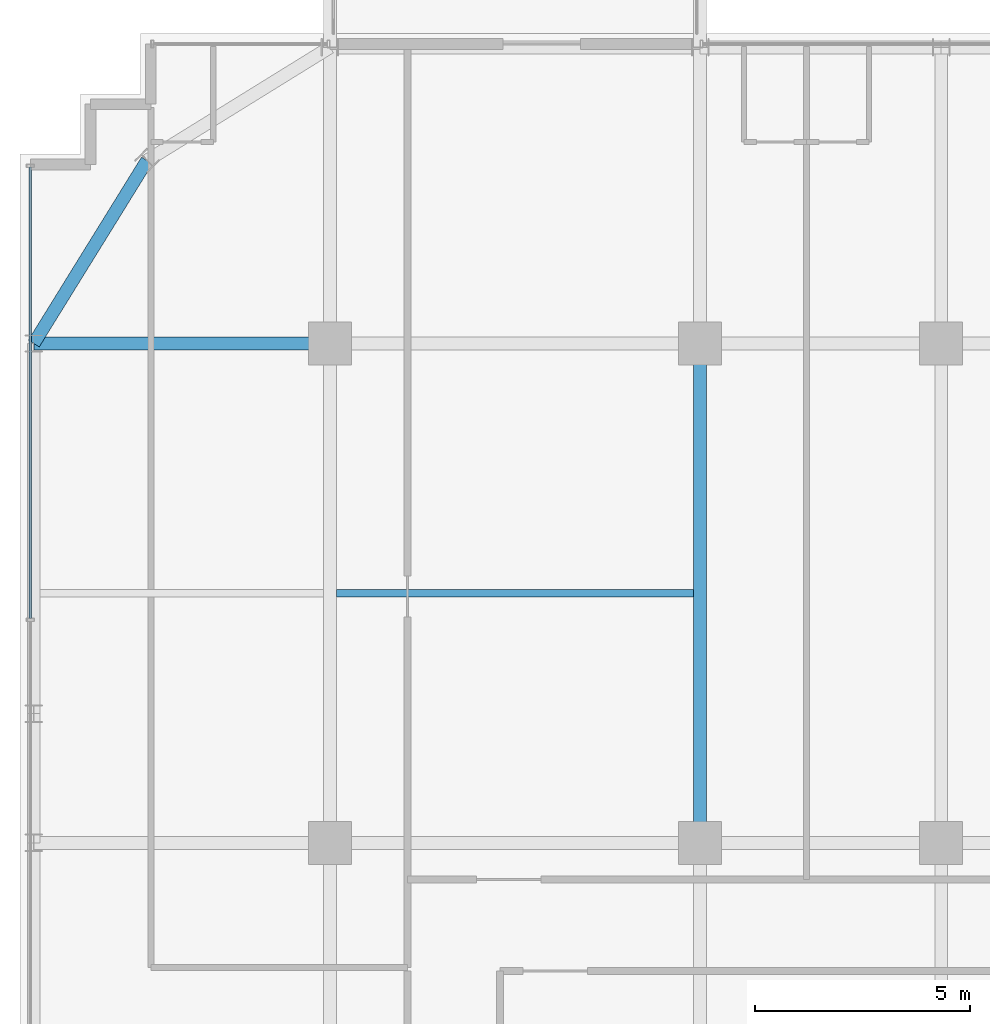
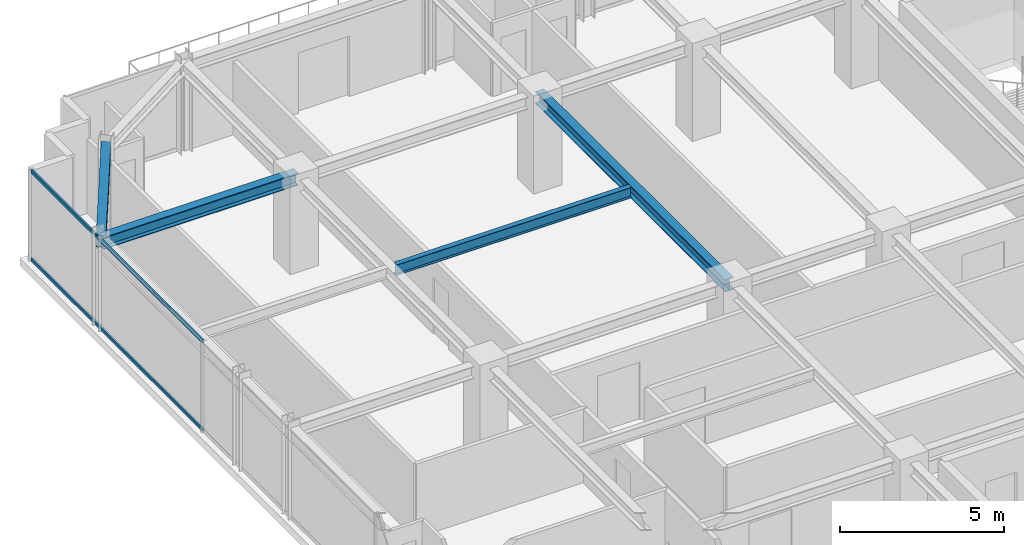
# One storey, part 19 of 36: 4 beams, 2 members, 1 element without a shape of its own.
"""IFC4 building model written with IfcOpenShell, lengths in metres."""

from ifc_helpers import new_model, si_unit, direction, frame, origin, origin_2d, place, context, subcontext, project, spatial, hollow_rectangle, i_section, extrude, source, transform, mapped, material, material_profile, profile_set, type_object, element, aggregate, save


model = new_model("IFC4")

# Units and contexts
model_context = context("Model", 3, precision=1e-05, world=origin(), true_north=direction((0.0, 1.0)))
body_context = subcontext(model_context, "Body", "Model", "MODEL_VIEW")
ifc_project = project(units=[si_unit("LENGTHUNIT", "METRE"), si_unit("AREAUNIT", "SQUARE_METRE"), si_unit("VOLUMEUNIT", "CUBIC_METRE"), si_unit("PLANEANGLEUNIT", "RADIAN"), si_unit("MASSUNIT", "GRAM", prefix="KILO")], contexts=[model_context])

# Site, building, storey
site_placement = place(None, origin())
site = spatial("IfcSite", under=ifc_project, at=site_placement, CompositionType="ELEMENT")
building_placement = place(site_placement, origin())
building = spatial("IfcBuilding", under=site, at=building_placement, Name="Nahalor Promenade Grand Hotel", CompositionType="ELEMENT")
storey_placement = place(building_placement, frame((0.0, 0.0, 234.5)))
storey = spatial("IfcBuildingStorey", under=building, at=storey_placement, Name="L60", CompositionType="ELEMENT", Elevation=234.5)

# Beams
ifc_material_1 = material(Name="Steel S355JR", Category="steel")
ifc_material_profile_1 = material_profile(ifc_material_1, i_section(OverallWidth=0.3, OverallDepth=0.45, WebThickness=0.014, FlangeThickness=0.026, at=origin_2d()), Name="HEB 450")
ifc_profile_set_1 = profile_set([ifc_material_profile_1], Name="Steel S355JR")
beam_type_1 = type_object("IfcBeamType", Name="Beam-Spandrel-HEB450", PredefinedType="SPANDREL", material=ifc_profile_set_1)
shared_shape_1 = source(origin(), body_context, "Body", "SweptSolid", [
    extrude(i_section(OverallWidth=0.3, OverallDepth=0.45, WebThickness=0.014, FlangeThickness=0.026, at=origin_2d()), origin(), (0.0, 0.0, 1.0), 4.997802734375),
])
beam_1_placement = place(storey_placement, frame((-21.25, 21.25, 3.18505859375), z_axis=(-0.526199891161, -0.850360908404, 0.0), x_axis=(0.850360908404, -0.526199891161, 0.0)))
element("IfcBeam", 1, at=beam_1_placement, inside=storey, type_object=beam_type_1, Name="BM-L60-SPC-NW-2", PredefinedType="SPANDREL", context=body_context, shape_type="MappedRepresentation", body=[
    mapped(shared_shape_1, transform((0.0, 0.0, 0.0), scale=1.0)),
])
ifc_material_profile_2 = material_profile(ifc_material_1, i_section(OverallWidth=0.3, OverallDepth=0.45, WebThickness=0.014, FlangeThickness=0.026, at=origin_2d()), Name="HEB 450")
ifc_profile_set_2 = profile_set([ifc_material_profile_2], Name="Steel S355JR")
beam_type_2 = type_object("IfcBeamType", Name="Beam-Girder-HEB450", PredefinedType="BEAM", material=ifc_profile_set_2)
shared_shape_2 = source(origin(), body_context, "Body", "SweptSolid", [
    extrude(i_section(OverallWidth=0.3, OverallDepth=0.45, WebThickness=0.014, FlangeThickness=0.026, at=origin_2d()), origin(), (0.0, 0.0, 1.0), 6.8798828125),
])
beam_2_placement = place(storey_placement, frame((-23.8798828125, 17.0, 3.18505859375), z_axis=(1.0, 0.0, 0.0), x_axis=(0.0, 1.0, 0.0)))
element("IfcBeam", 2, at=beam_2_placement, inside=storey, type_object=beam_type_2, Name="BM-L60-GX-3-0", PredefinedType="BEAM", context=body_context, shape_type="MappedRepresentation", body=[
    mapped(shared_shape_2, transform((0.0, 0.0, 0.0), scale=1.0)),
])
shared_shape_3 = source(origin(), body_context, "Body", "SweptSolid", [
    extrude(i_section(OverallWidth=0.3, OverallDepth=0.45, WebThickness=0.014, FlangeThickness=0.026, at=origin_2d()), origin(), (0.0, 0.0, 1.0), 11.60009765625),
])
beam_3_placement = place(storey_placement, frame((-8.39990234375, 5.39990234375, 3.18505859375), z_axis=(0.0, 1.0, 0.0), x_axis=(-1.0, 0.0, 0.0)))
element("IfcBeam", 3, at=beam_3_placement, inside=storey, type_object=beam_type_2, Name="BM-L60-GY-1-3", PredefinedType="BEAM", context=body_context, shape_type="MappedRepresentation", body=[
    mapped(shared_shape_3, transform((0.0, 0.0, 0.0), scale=1.0)),
])
ifc_material_profile_3 = material_profile(ifc_material_1, i_section(OverallWidth=0.18, OverallDepth=0.4, WebThickness=0.0086, FlangeThickness=0.0135, at=origin_2d()), Name="IPE 400")
ifc_profile_set_3 = profile_set([ifc_material_profile_3], Name="Steel S355JR")
beam_type_3 = type_object("IfcBeamType", Name="Beam-Joist-IPE400", PredefinedType="JOIST", material=ifc_profile_set_3)
shared_shape_4 = source(origin(), body_context, "Body", "SweptSolid", [
    extrude(i_section(OverallWidth=0.18, OverallDepth=0.4, WebThickness=0.0086, FlangeThickness=0.0135, at=origin_2d()), origin(), (0.0, 0.0, 1.0), 8.300048828125),
])
beam_4_placement = place(storey_placement, frame((-16.85009765625, 11.199951171875, 3.2099609375), z_axis=(1.0, 0.0, 0.0), x_axis=(0.0, 1.0, 0.0)))
element("IfcBeam", 4, at=beam_4_placement, inside=storey, type_object=beam_type_3, Name="BM-L60-JSW-1-1", PredefinedType="JOIST", context=body_context, shape_type="MappedRepresentation", body=[
    mapped(shared_shape_4, transform((0.0, 0.0, 0.0), scale=1.0)),
])

# Curtain wall, members
ifc_material_2 = material(Name="Anodised Bronze Aluminium EN AW-6063 T6", Category="aluminium")
curtain_wall_type = type_object("IfcCurtainWallType", Name="CW2 Typical Hotel Flush Bronze Unitised Curtain Wall", PredefinedType="USERDEFINED", material=ifc_material_2)
curtain_wall_placement = place(storey_placement, origin())
curtain_wall = element("IfcCurtainWall", 5, at=curtain_wall_placement, inside=storey, type_object=curtain_wall_type, Name="L60 Curtain Wall CW-L60-W-1", ObjectType="UNITISED_CURTAIN_WALL", PredefinedType="USERDEFINED")
ifc_material_profile_4 = material_profile(ifc_material_2, hollow_rectangle(XDim=0.065, YDim=0.13, WallThickness=0.004, at=origin_2d()), Name="CWT 65x130x4")
ifc_profile_set_4 = profile_set([ifc_material_profile_4], Name="Anodised Bronze Aluminium EN AW-6063 T6")
member_type = type_object("IfcMemberType", Name="CWT2 Typical Bronze Transom 65x130", PredefinedType="USERDEFINED", material=ifc_profile_set_4)
shared_shape_5 = source(origin(), body_context, "Body", "SweptSolid", [
    extrude(hollow_rectangle(XDim=0.065, YDim=0.13, WallThickness=0.004, at=origin_2d()), origin(), (0.0, 0.0, 1.0), 10.482421875),
])
member_1_placement = place(storey_placement, frame((-23.9599609375, 10.612548828125, 0.06494140625), z_axis=(0.0, 1.0, 0.0), x_axis=(-1.0, 0.0, 0.0)))
member_1 = element("IfcMember", 6, at=member_1_placement, type_object=member_type, Name="CW-L60-W-1 Transom 3-0", ObjectType="TRANSOM", PredefinedType="USERDEFINED", context=body_context, shape_type="MappedRepresentation", body=[
    mapped(shared_shape_5, transform((0.0, 0.0, 0.0), scale=1.0)),
])
member_2_placement = place(storey_placement, frame((-23.9599609375, 10.612548828125, 3.344970703125), z_axis=(0.0, 1.0, 0.0), x_axis=(-1.0, 0.0, 0.0)))
member_2 = element("IfcMember", 7, at=member_2_placement, type_object=member_type, Name="CW-L60-W-1 Transom 3-1", ObjectType="TRANSOM", PredefinedType="USERDEFINED", context=body_context, shape_type="MappedRepresentation", body=[
    mapped(shared_shape_5, transform((0.0, 0.0, 0.0), scale=1.0)),
])
aggregate(curtain_wall, [member_1, member_2])

save(model, "model.ifc")
